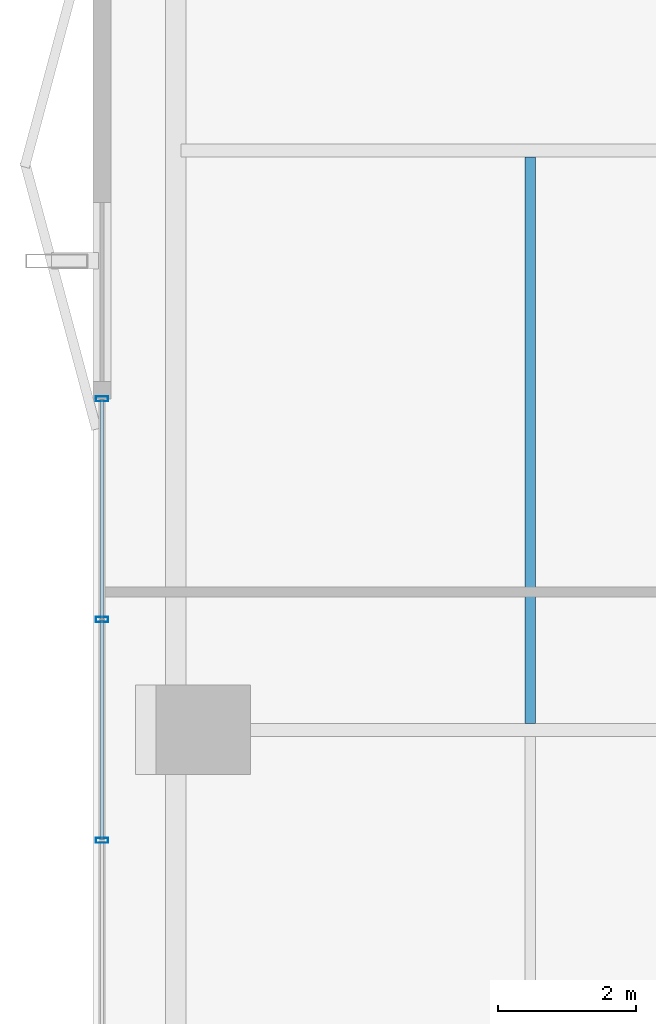
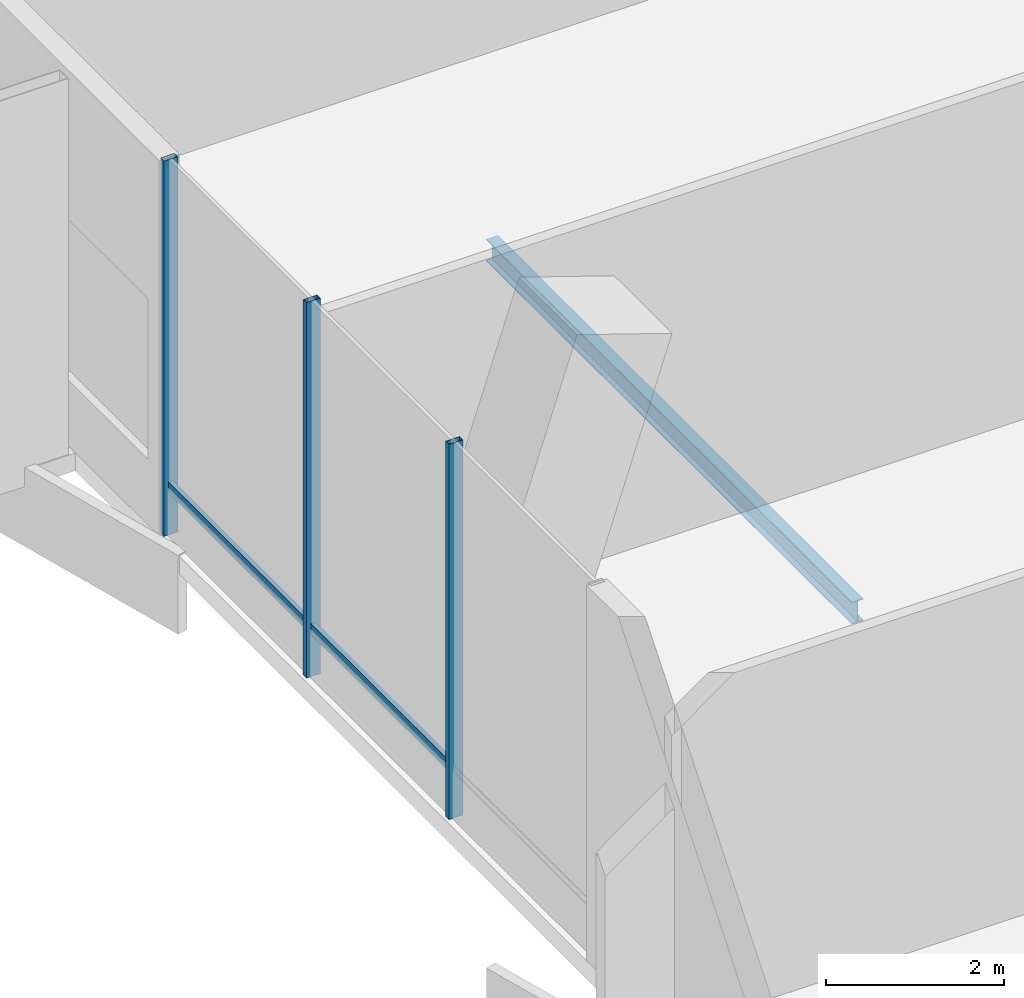
# One storey, part 8 of 28: 5 members, 1 beam, 1 element without a shape of its own.
"""IFC4 building model written with IfcOpenShell, lengths in metres."""

from ifc_helpers import new_model, si_unit, direction, frame, origin, origin_2d, place, context, subcontext, project, spatial, hollow_rectangle, i_section, extrude, material, layer, layer_set, material_profile, profile_set, type_object, element, aggregate, save


model = new_model("IFC4")

# Units and contexts
model_context = context("Model", 3, precision=1e-05, world=origin(), true_north=direction((0.0, 1.0)))
body_context = subcontext(model_context, "Body", "Model", "MODEL_VIEW")
ifc_project = project(units=[si_unit("LENGTHUNIT", "METRE"), si_unit("AREAUNIT", "SQUARE_METRE"), si_unit("VOLUMEUNIT", "CUBIC_METRE"), si_unit("PLANEANGLEUNIT", "RADIAN"), si_unit("MASSUNIT", "GRAM", prefix="KILO")], contexts=[model_context])

# Site, building, storey
site_placement = place(None, origin())
site = spatial("IfcSite", under=ifc_project, at=site_placement, CompositionType="ELEMENT")
building_placement = place(site_placement, origin())
building = spatial("IfcBuilding", under=site, at=building_placement, Name="Belovzor Exchange Tower", CompositionType="ELEMENT")
storey_placement = place(building_placement, frame((0.0, 0.0, 132.89990234375)))
storey = spatial("IfcBuildingStorey", under=building, at=storey_placement, Name="L32", CompositionType="ELEMENT", Elevation=132.89990234375)

# Beam
ifc_material_1 = material(Name="Steel S355", Category="steel")
ifc_material_profile_1 = material_profile(ifc_material_1, i_section(OverallWidth=0.14990234375, OverallDepth=0.300048828125, WebThickness=0.007080078125, FlangeThickness=0.0107421875, at=origin_2d()))
ifc_profile_set_1 = profile_set([ifc_material_profile_1], Name="Steel S355")
beam_type = type_object("IfcBeamType", Name="Secondary Trim Floor Joist IPE 300", PredefinedType="BEAM", material=ifc_profile_set_1)
beam_placement = place(storey_placement, frame((9.0390625, 28.89501953125, -0.39990234375), z_axis=(0.0, 1.0, 0.0), x_axis=(-1.0, 0.0, 0.0)))
element("IfcBeam", 1, at=beam_placement, inside=storey, type_object=beam_type, Name="FJ-300 Secondary Trim Floor Joist IPE 300", PredefinedType="BEAM", context=body_context, shape_type="SweptSolid", body=[
    extrude(i_section(OverallWidth=0.14990234375, OverallDepth=0.300048828125, WebThickness=0.007080078125, FlangeThickness=0.0107421875, at=origin_2d()), origin(), (0.0, 0.0, 1.0), 8.2099609375),
])

# Curtain wall, members
ifc_material_2 = material(Name="Anodised Aluminium Framing", Category="aluminium")
ifc_layer = layer(ifc_material_2, 0.239990234375)
ifc_layer_set = layer_set([ifc_layer], Name="Anodised Aluminium Framing")
curtain_wall_type = type_object("IfcCurtainWallType", Name="Sky-Lobby Double-Skin Acoustic Curtain Wall", PredefinedType="NOTDEFINED", material=ifc_layer_set)
curtain_wall_placement = place(storey_placement, origin())
curtain_wall = element("IfcCurtainWall", 2, at=curtain_wall_placement, inside=storey, type_object=curtain_wall_type, Name="CW4 Sky-Lobby Double-Skin Acoustic Curtain Wall L32", PredefinedType="NOTDEFINED")
ifc_material_3 = material(Name="Steel S355", Category="steel")
ifc_material_profile_2 = material_profile(ifc_material_3, hollow_rectangle(XDim=0.074951171875, YDim=0.179931640625, WallThickness=0.0048828125, at=origin_2d()))
ifc_profile_set_2 = profile_set([ifc_material_profile_2], Name="Steel S355")
member_type_1 = type_object("IfcMemberType", Name="Thermally Broken Curtain Wall Mullion 180x75", PredefinedType="MULLION", material=ifc_profile_set_2)
member_1_placement = place(storey_placement, frame((2.830078125, 27.199951171875, 0.0), z_axis=(0.0, 0.0, 1.0), x_axis=(0.0, 1.0, 0.0)))
member_1 = element("IfcMember", 3, at=member_1_placement, type_object=member_type_1, Name="CW-M180 Curtain Wall Mullion 2", PredefinedType="MULLION", context=body_context, shape_type="SweptSolid", body=[
    extrude(hollow_rectangle(XDim=0.074951171875, YDim=0.179931640625, WallThickness=0.0048828125, at=origin_2d()), origin(), (0.0, 0.0, 1.0), 5.14501953125),
])
member_2_placement = place(storey_placement, frame((2.830078125, 30.39990234375, 0.0), z_axis=(0.0, 0.0, 1.0), x_axis=(0.0, 1.0, 0.0)))
member_2 = element("IfcMember", 4, at=member_2_placement, type_object=member_type_1, Name="CW-M180 Curtain Wall Mullion 3", PredefinedType="MULLION", context=body_context, shape_type="SweptSolid", body=[
    extrude(hollow_rectangle(XDim=0.074951171875, YDim=0.179931640625, WallThickness=0.0048828125, at=origin_2d()), origin(), (0.0, 0.0, 1.0), 5.14501953125),
])
member_3_placement = place(storey_placement, frame((2.830078125, 33.60009765625, 0.0), z_axis=(0.0, 0.0, 1.0), x_axis=(0.0, 1.0, 0.0)))
member_3 = element("IfcMember", 5, at=member_3_placement, type_object=member_type_1, Name="CW-M180 Curtain Wall Mullion 4", PredefinedType="MULLION", context=body_context, shape_type="SweptSolid", body=[
    extrude(hollow_rectangle(XDim=0.074951171875, YDim=0.179931640625, WallThickness=0.0048828125, at=origin_2d()), origin(), (0.0, 0.0, 1.0), 5.14501953125),
])
ifc_material_4 = material(Name="Steel S355", Category="steel")
ifc_material_profile_3 = material_profile(ifc_material_4, hollow_rectangle(XDim=0.06005859375, YDim=0.14990234375, WallThickness=0.00390625, at=origin_2d()))
ifc_profile_set_3 = profile_set([ifc_material_profile_3], Name="Steel S355")
member_type_2 = type_object("IfcMemberType", Name="Thermally Broken Curtain Wall Transom 150x60", PredefinedType="USERDEFINED", material=ifc_profile_set_3)
member_4_placement = place(storey_placement, frame((2.830078125, 27.2080078125, 0.650146484375), z_axis=(0.0, 1.0, 0.0), x_axis=(-1.0, 0.0, 0.0)))
member_4 = element("IfcMember", 6, at=member_4_placement, type_object=member_type_2, Name="CW-T150 Curtain Wall Transom 2", ObjectType="TRANSOM", PredefinedType="USERDEFINED", context=body_context, shape_type="SweptSolid", body=[
    extrude(hollow_rectangle(XDim=0.06005859375, YDim=0.14990234375, WallThickness=0.00390625, at=origin_2d()), origin(), (0.0, 0.0, 1.0), 3.18408203125),
])
member_5_placement = place(storey_placement, frame((2.830078125, 30.407958984375, 0.650146484375), z_axis=(0.0, 1.0, 0.0), x_axis=(-1.0, 0.0, 0.0)))
member_5 = element("IfcMember", 7, at=member_5_placement, type_object=member_type_2, Name="CW-T150 Curtain Wall Transom 3", ObjectType="TRANSOM", PredefinedType="USERDEFINED", context=body_context, shape_type="SweptSolid", body=[
    extrude(hollow_rectangle(XDim=0.06005859375, YDim=0.14990234375, WallThickness=0.00390625, at=origin_2d()), origin(), (0.0, 0.0, 1.0), 3.18408203125),
])
aggregate(curtain_wall, [member_1, member_2, member_3, member_4, member_5])

save(model, "model.ifc")
